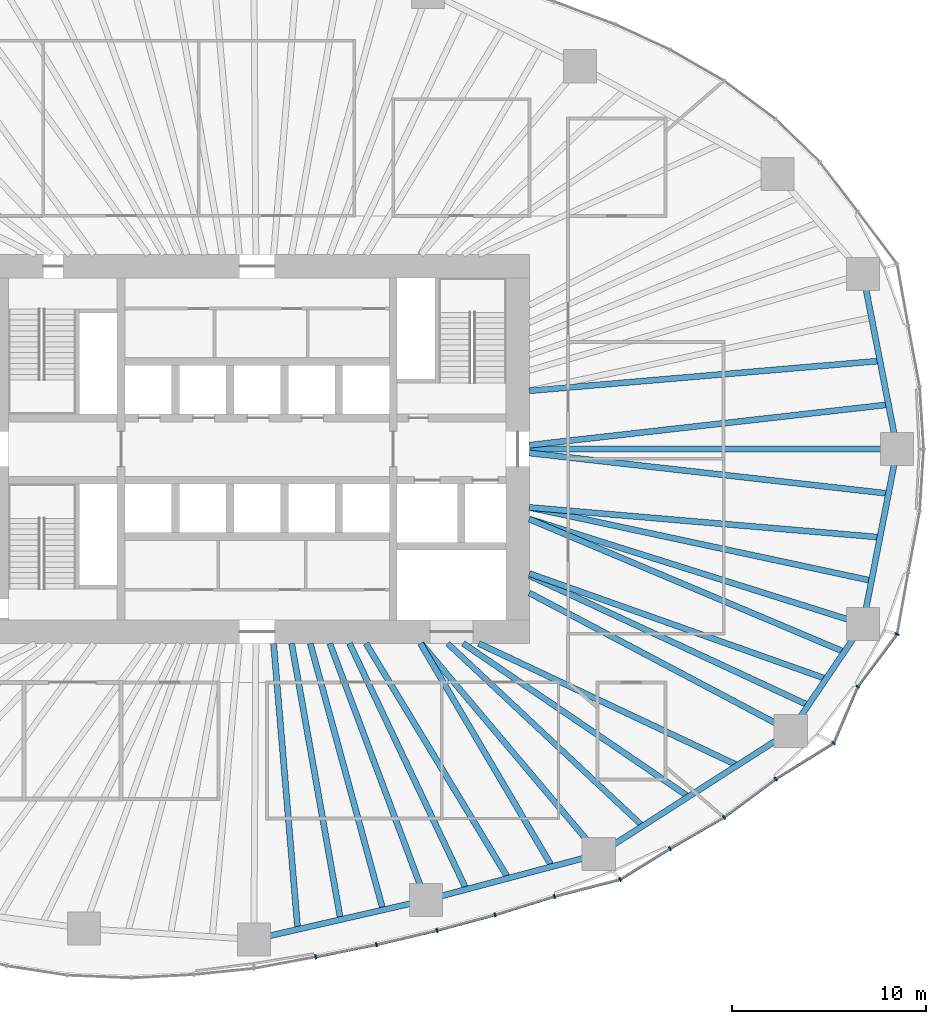
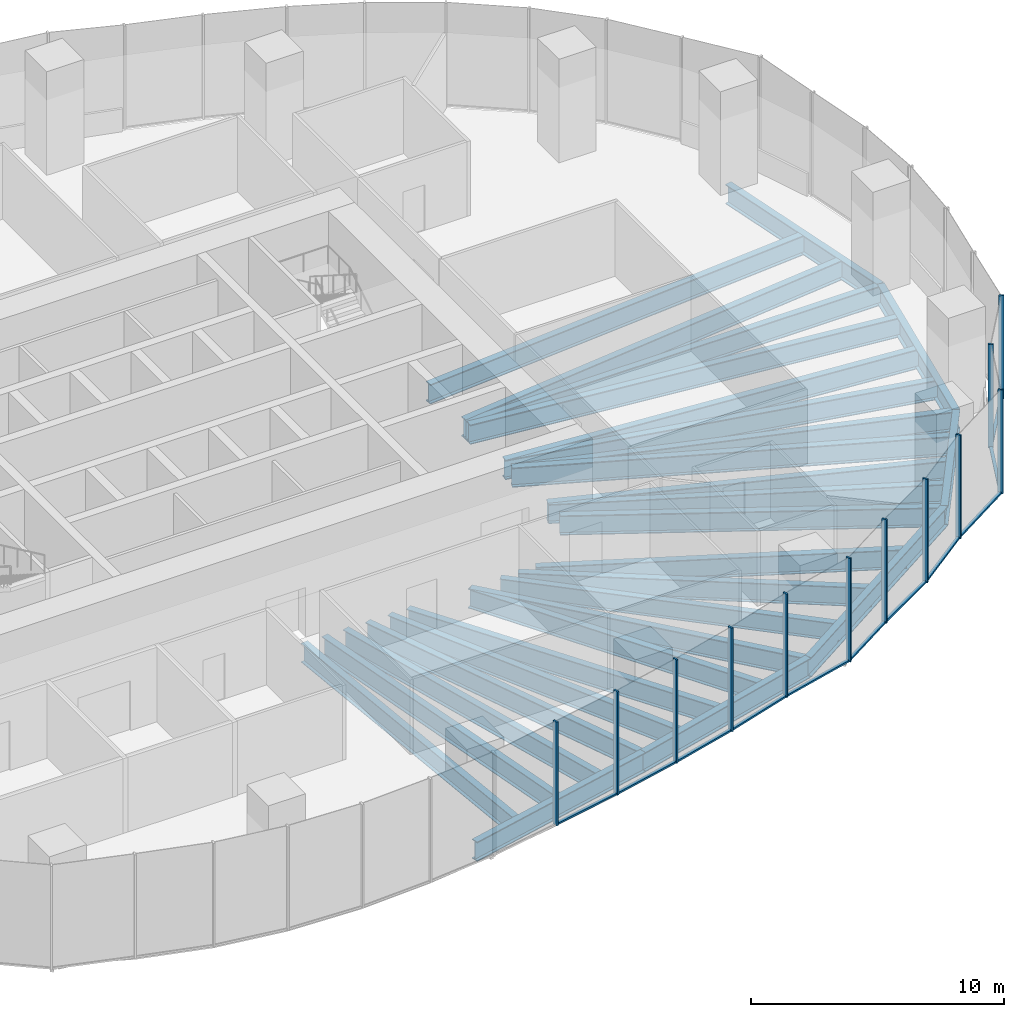
# One storey, part 4 of 20: 28 beams, 23 members, 5 elements without a shape of their own.
"""IFC4 building model written with IfcOpenShell, lengths in metres."""

from ifc_helpers import new_model, si_unit, direction, frame, origin, origin_2d, place, context, subcontext, project, spatial, rectangle, i_section, extrude, material, material_profile, profile_set, type_object, element, aggregate, save


model = new_model("IFC4")

# Units and contexts
model_context = context("Model", 3, precision=1e-05, world=origin(), true_north=direction((0.0, 1.0)))
body_context = subcontext(model_context, "Body", "Model", "MODEL_VIEW")
ifc_project = project(units=[si_unit("LENGTHUNIT", "METRE"), si_unit("AREAUNIT", "SQUARE_METRE"), si_unit("VOLUMEUNIT", "CUBIC_METRE"), si_unit("PLANEANGLEUNIT", "RADIAN"), si_unit("MASSUNIT", "GRAM", prefix="KILO")], contexts=[model_context])

# Site, building, storey
site_placement = place(None, origin())
site = spatial("IfcSite", under=ifc_project, at=site_placement, CompositionType="ELEMENT")
building_placement = place(site_placement, origin())
building = spatial("IfcBuilding", under=site, at=building_placement, Name="Ghaith Harvest Tower", CompositionType="ELEMENT")
storey_placement = place(building_placement, frame((0.0, 0.0, 60.0)))
storey = spatial("IfcBuildingStorey", under=building, at=storey_placement, Name="L12", CompositionType="ELEMENT", Elevation=60.0)

# Curtain wall, members
ifc_material_1 = material(Name="Black anodised aluminium and fritted glass", Category="aluminium")
curtain_wall_type = type_object("IfcCurtainWallType", Name="CW-F CURTAIN WALL", PredefinedType="NOTDEFINED", material=ifc_material_1)
curtain_wall_1_placement = place(storey_placement, origin())
curtain_wall_1 = element("IfcCurtainWall", 1, at=curtain_wall_1_placement, inside=storey, type_object=curtain_wall_type, Name="Curtain wall CW-F bay 16 L12", PredefinedType="NOTDEFINED")
ifc_material_2 = material(Name="Aluminium, black anodised", Category="aluminium")
ifc_material_profile_1 = material_profile(ifc_material_2, rectangle(XDim=0.080078125, YDim=0.219970703125, at=origin_2d()), Name="CW-F MULLION 80x220")
ifc_profile_set_1 = profile_set([ifc_material_profile_1], Name="Aluminium, black anodised")
member_type_1 = type_object("IfcMemberType", Name="CW-F MULLION 80x220", PredefinedType="MULLION", material=ifc_profile_set_1)
member_1_placement = place(storey_placement, frame((3.00927734375, -26.123291015625, 0.0), z_axis=(0.0, 0.0, 1.0), x_axis=(0.981818445714, 0.189822389762, 0.0)))
member_1 = element("IfcMember", 2, at=member_1_placement, type_object=member_type_1, Name="CW-F mullion 2 bay 16 L12", PredefinedType="MULLION", context=body_context, shape_type="SweptSolid", body=[
    extrude(rectangle(XDim=0.080078125, YDim=0.219970703125, at=origin_2d()), origin(), (0.0, 0.0, 1.0), 5.0),
])
member_2_placement = place(storey_placement, frame((6.136962890625, -25.495361328125, 0.0), z_axis=(0.0, 0.0, 1.0), x_axis=(0.977117973572, 0.212698062336, 0.0)))
member_2 = element("IfcMember", 3, at=member_2_placement, type_object=member_type_1, Name="CW-F mullion 3 bay 16 L12", PredefinedType="MULLION", context=body_context, shape_type="SweptSolid", body=[
    extrude(rectangle(XDim=0.080078125, YDim=0.219970703125, at=origin_2d()), origin(), (0.0, 0.0, 1.0), 5.0),
])

curtain_wall_2_placement = place(storey_placement, origin())
curtain_wall_2 = element("IfcCurtainWall", 4, at=curtain_wall_2_placement, inside=storey, type_object=curtain_wall_type, Name="Curtain wall CW-F bay 17 L12", PredefinedType="NOTDEFINED")
member_3_placement = place(storey_placement, frame((9.25732421875, -24.76318359375, 0.0), z_axis=(0.0, 0.0, 1.0), x_axis=(0.969903429248, 0.24348991341, 0.0)))
member_3 = element("IfcMember", 5, at=member_3_placement, type_object=member_type_1, Name="CW-F mullion 1 bay 17 L12", PredefinedType="MULLION", context=body_context, shape_type="SweptSolid", body=[
    extrude(rectangle(XDim=0.080078125, YDim=0.219970703125, at=origin_2d()), origin(), (0.0, 0.0, 1.0), 5.0),
])
member_4_placement = place(storey_placement, frame((12.234375, -23.964599609375, 0.0), z_axis=(0.0, 0.0, 1.0), x_axis=(0.960502189734, 0.278272426799, 0.0)))
member_4 = element("IfcMember", 6, at=member_4_placement, type_object=member_type_1, Name="CW-F mullion 2 bay 17 L12", PredefinedType="MULLION", context=body_context, shape_type="SweptSolid", body=[
    extrude(rectangle(XDim=0.080078125, YDim=0.219970703125, at=origin_2d()), origin(), (0.0, 0.0, 1.0), 5.0),
])
member_5_placement = place(storey_placement, frame((15.28759765625, -23.01611328125, 0.0), z_axis=(0.0, 0.0, 1.0), x_axis=(0.962313144018, 0.27194376781, 0.0)))
member_5 = element("IfcMember", 7, at=member_5_placement, type_object=member_type_1, Name="CW-F mullion 3 bay 17 L12", PredefinedType="MULLION", context=body_context, shape_type="SweptSolid", body=[
    extrude(rectangle(XDim=0.080078125, YDim=0.219970703125, at=origin_2d()), origin(), (0.0, 0.0, 1.0), 5.0),
])

curtain_wall_3_placement = place(storey_placement, origin())
curtain_wall_3 = element("IfcCurtainWall", 8, at=curtain_wall_3_placement, inside=storey, type_object=curtain_wall_type, Name="Curtain wall CW-F bay 18 L12", PredefinedType="NOTDEFINED")
member_6_placement = place(storey_placement, frame((18.674072265625, -22.144775390625, 0.0), z_axis=(0.0, 0.0, 1.0), x_axis=(0.923910199299, 0.382609387799, 0.0)))
member_6 = element("IfcMember", 9, at=member_6_placement, type_object=member_type_1, Name="CW-F mullion 1 bay 18 L12", PredefinedType="MULLION", context=body_context, shape_type="SweptSolid", body=[
    extrude(rectangle(XDim=0.080078125, YDim=0.219970703125, at=origin_2d()), origin(), (0.0, 0.0, 1.0), 5.0),
])
member_7_placement = place(storey_placement, frame((21.2353515625, -20.552978515625, 0.0), z_axis=(0.0, 0.0, 1.0), x_axis=(0.858140414942, 0.513415064293, 0.0)))
member_7 = element("IfcMember", 10, at=member_7_placement, type_object=member_type_1, Name="CW-F mullion 2 bay 18 L12", PredefinedType="MULLION", context=body_context, shape_type="SweptSolid", body=[
    extrude(rectangle(XDim=0.080078125, YDim=0.219970703125, at=origin_2d()), origin(), (0.0, 0.0, 1.0), 5.0),
])
member_8_placement = place(storey_placement, frame((24.018310546875, -18.947265625, 0.0), z_axis=(0.0, 0.0, 1.0), x_axis=(0.835443516838, 0.549576318788, 0.0)))
member_8 = element("IfcMember", 11, at=member_8_placement, type_object=member_type_1, Name="CW-F mullion 3 bay 18 L12", PredefinedType="MULLION", context=body_context, shape_type="SweptSolid", body=[
    extrude(rectangle(XDim=0.080078125, YDim=0.219970703125, at=origin_2d()), origin(), (0.0, 0.0, 1.0), 5.0),
])

curtain_wall_4_placement = place(storey_placement, origin())
curtain_wall_4 = element("IfcCurtainWall", 12, at=curtain_wall_4_placement, inside=storey, type_object=curtain_wall_type, Name="Curtain wall CW-F bay 19 L12", PredefinedType="NOTDEFINED")
member_9_placement = place(storey_placement, frame((26.673828125, -16.9755859375, 0.0), z_axis=(0.0, 0.0, 1.0), x_axis=(0.828002038115, 0.560725088504, 0.0)))
member_9 = element("IfcMember", 13, at=member_9_placement, type_object=member_type_1, Name="CW-F mullion 1 bay 19 L12", PredefinedType="MULLION", context=body_context, shape_type="SweptSolid", body=[
    extrude(rectangle(XDim=0.080078125, YDim=0.219970703125, at=origin_2d()), origin(), (0.0, 0.0, 1.0), 5.0),
])
member_10_placement = place(storey_placement, frame((29.659912109375, -15.126953125, 0.0), z_axis=(0.0, 0.0, 1.0), x_axis=(0.663604797505, 0.748083332743, 0.0)))
member_10 = element("IfcMember", 14, at=member_10_placement, type_object=member_type_1, Name="CW-F mullion 2 bay 19 L12", PredefinedType="MULLION", context=body_context, shape_type="SweptSolid", body=[
    extrude(rectangle(XDim=0.080078125, YDim=0.219970703125, at=origin_2d()), origin(), (0.0, 0.0, 1.0), 5.0),
])
member_11_placement = place(storey_placement, frame((30.896728515625, -12.215087890625, 0.0), z_axis=(0.0, 0.0, 1.0), x_axis=(0.5027946428, 0.864405892606, 0.0)))
member_11 = element("IfcMember", 15, at=member_11_placement, type_object=member_type_1, Name="CW-F mullion 3 bay 19 L12", PredefinedType="MULLION", context=body_context, shape_type="SweptSolid", body=[
    extrude(rectangle(XDim=0.080078125, YDim=0.219970703125, at=origin_2d()), origin(), (0.0, 0.0, 1.0), 5.0),
])

# Curtain wall, member
curtain_wall_5_placement = place(storey_placement, origin())
curtain_wall_5 = element("IfcCurtainWall", 16, at=curtain_wall_5_placement, inside=storey, type_object=curtain_wall_type, Name="Curtain wall CW-F bay 20 L12", PredefinedType="NOTDEFINED")
member_12_placement = place(storey_placement, frame((32.923583984375, -9.515625, 0.0), z_axis=(0.0, 0.0, 1.0), x_axis=(0.404701694001, 0.914448762301, 0.0)))
member_12 = element("IfcMember", 17, at=member_12_placement, type_object=member_type_1, Name="CW-F mullion 1 bay 20 L12", PredefinedType="MULLION", context=body_context, shape_type="SweptSolid", body=[
    extrude(rectangle(XDim=0.080078125, YDim=0.219970703125, at=origin_2d()), origin(), (0.0, 0.0, 1.0), 5.0),
])
aggregate(curtain_wall_5, [member_12])

# Member
ifc_material_3 = material(Name="Aluminium, black anodised", Category="aluminium")
ifc_material_profile_2 = material_profile(ifc_material_3, rectangle(XDim=0.139892578125, YDim=0.080078125, at=origin_2d()), Name="CW-F TRANSOM 140x80")
ifc_profile_set_2 = profile_set([ifc_material_profile_2], Name="Aluminium, black anodised")
member_type_2 = type_object("IfcMemberType", Name="CW-F TRANSOM 140x80", PredefinedType="USERDEFINED", material=ifc_profile_set_2)
member_13_placement = place(storey_placement, frame((3.04833984375, -26.115478515625, 0.0400390625), z_axis=(0.980432471193, 0.196855707129, 0.0), x_axis=(-0.196855707129, 0.980432471193, 0.0)))
member_13 = element("IfcMember", 18, at=member_13_placement, type_object=member_type_2, Name="CW-F transom 2 bay 16 L12", ObjectType="TRANSOM", PredefinedType="USERDEFINED", context=body_context, shape_type="SweptSolid", body=[
    extrude(rectangle(XDim=0.139892578125, YDim=0.080078125, at=origin_2d()), origin(), (0.0, 0.0, 1.0), 3.1103515625),
])

member_14_placement = place(storey_placement, frame((6.176025390625, -25.486083984375, 0.0400390625), z_axis=(0.973560415159, 0.228429678537, 0.0), x_axis=(-0.228429678537, 0.973560415159, 0.0)))
member_14 = element("IfcMember", 19, at=member_14_placement, type_object=member_type_2, Name="CW-F transom 3 bay 16 L12", ObjectType="TRANSOM", PredefinedType="USERDEFINED", context=body_context, shape_type="SweptSolid", body=[
    extrude(rectangle(XDim=0.139892578125, YDim=0.080078125, at=origin_2d()), origin(), (0.0, 0.0, 1.0), 3.125),
])

aggregate(curtain_wall_1, [member_1, member_13, member_2, member_14])

member_15_placement = place(storey_placement, frame((9.2958984375, -24.7529296875, 0.0400390625), z_axis=(0.965832908495, 0.259165570377, 0.0), x_axis=(-0.259165570377, 0.965832908495, 0.0)))
member_15 = element("IfcMember", 20, at=member_15_placement, type_object=member_type_2, Name="CW-F transom 1 bay 17 L12", ObjectType="TRANSOM", PredefinedType="USERDEFINED", context=body_context, shape_type="SweptSolid", body=[
    extrude(rectangle(XDim=0.139892578125, YDim=0.080078125, at=origin_2d()), origin(), (0.0, 0.0, 1.0), 3.002197265625),
])

member_16_placement = place(storey_placement, frame((12.2724609375, -23.95263671875, 0.0400390625), z_axis=(0.954998362353, 0.296611071781, 0.0), x_axis=(-0.296611071781, 0.954998362353, 0.0)))
member_16 = element("IfcMember", 21, at=member_16_placement, type_object=member_type_2, Name="CW-F transom 2 bay 17 L12", ObjectType="TRANSOM", PredefinedType="USERDEFINED", context=body_context, shape_type="SweptSolid", body=[
    extrude(rectangle(XDim=0.139892578125, YDim=0.080078125, at=origin_2d()), origin(), (0.0, 0.0, 1.0), 3.1171875),
])

member_17_placement = place(storey_placement, frame((15.326171875, -23.006103515625, 0.0400390625), z_axis=(0.968463874592, 0.249154015841, 0.0), x_axis=(-0.249154015841, 0.968463874592, 0.0)))
member_17 = element("IfcMember", 22, at=member_17_placement, type_object=member_type_2, Name="CW-F transom 3 bay 17 L12", ObjectType="TRANSOM", PredefinedType="USERDEFINED", context=body_context, shape_type="SweptSolid", body=[
    extrude(rectangle(XDim=0.139892578125, YDim=0.080078125, at=origin_2d()), origin(), (0.0, 0.0, 1.0), 3.416748046875),
])

aggregate(curtain_wall_2, [member_3, member_15, member_4, member_16, member_5, member_17])

member_18_placement = place(storey_placement, frame((18.7080078125, -22.12353515625, 0.0400390625), z_axis=(0.849383069026, 0.527776848726, 0.0), x_axis=(-0.527776848726, 0.849383069026, 0.0)))
member_18 = element("IfcMember", 23, at=member_18_placement, type_object=member_type_2, Name="CW-F transom 1 bay 18 L12", ObjectType="TRANSOM", PredefinedType="USERDEFINED", context=body_context, shape_type="SweptSolid", body=[
    extrude(rectangle(XDim=0.139892578125, YDim=0.080078125, at=origin_2d()), origin(), (0.0, 0.0, 1.0), 2.935546875),
])

member_19_placement = place(storey_placement, frame((21.27001953125, -20.532958984375, 0.0400390625), z_axis=(0.866168719914, 0.499751686983, 0.0), x_axis=(-0.499751686983, 0.866168719914, 0.0)))
member_19 = element("IfcMember", 24, at=member_19_placement, type_object=member_type_2, Name="CW-F transom 2 bay 18 L12", ObjectType="TRANSOM", PredefinedType="USERDEFINED", context=body_context, shape_type="SweptSolid", body=[
    extrude(rectangle(XDim=0.139892578125, YDim=0.080078125, at=origin_2d()), origin(), (0.0, 0.0, 1.0), 3.1328125),
])

member_20_placement = place(storey_placement, frame((24.050537109375, -18.92333984375, 0.0400390625), z_axis=(0.802877287823, 0.596144328748, 0.0), x_axis=(-0.596144328748, 0.802877287823, 0.0)))
member_20 = element("IfcMember", 25, at=member_20_placement, type_object=member_type_2, Name="CW-F transom 3 bay 18 L12", ObjectType="TRANSOM", PredefinedType="USERDEFINED", context=body_context, shape_type="SweptSolid", body=[
    extrude(rectangle(XDim=0.139892578125, YDim=0.080078125, at=origin_2d()), origin(), (0.0, 0.0, 1.0), 3.2275390625),
])

aggregate(curtain_wall_3, [member_6, member_18, member_7, member_19, member_8, member_20])

member_21_placement = place(storey_placement, frame((26.707763671875, -16.954345703125, 0.0400390625), z_axis=(0.850260598386, 0.526361961802, 0.0), x_axis=(-0.526361961802, 0.850260598386, 0.0)))
member_21 = element("IfcMember", 26, at=member_21_placement, type_object=member_type_2, Name="CW-F transom 1 bay 19 L12", ObjectType="TRANSOM", PredefinedType="USERDEFINED", context=body_context, shape_type="SweptSolid", body=[
    extrude(rectangle(XDim=0.139892578125, YDim=0.080078125, at=origin_2d()), origin(), (0.0, 0.0, 1.0), 3.431884765625),
])

member_22_placement = place(storey_placement, frame((29.675537109375, -15.090087890625, 0.0400390625), z_axis=(0.390936107494, 0.92041781809, 0.0), x_axis=(-0.92041781809, 0.390936107494, 0.0)))
member_22 = element("IfcMember", 27, at=member_22_placement, type_object=member_type_2, Name="CW-F transom 2 bay 19 L12", ObjectType="TRANSOM", PredefinedType="USERDEFINED", context=body_context, shape_type="SweptSolid", body=[
    extrude(rectangle(XDim=0.139892578125, YDim=0.080078125, at=origin_2d()), origin(), (0.0, 0.0, 1.0), 3.083740234375),
])

member_23_placement = place(storey_placement, frame((30.920654296875, -12.18310546875, 0.0400390625), z_axis=(0.600462135687, 0.799653189581, 0.0), x_axis=(-0.799653189581, 0.600462135687, 0.0)))
member_23 = element("IfcMember", 28, at=member_23_placement, type_object=member_type_2, Name="CW-F transom 3 bay 19 L12", ObjectType="TRANSOM", PredefinedType="USERDEFINED", context=body_context, shape_type="SweptSolid", body=[
    extrude(rectangle(XDim=0.139892578125, YDim=0.080078125, at=origin_2d()), origin(), (0.0, 0.0, 1.0), 3.2958984375),
])

aggregate(curtain_wall_4, [member_9, member_21, member_10, member_22, member_11, member_23])

# Beams
ifc_material_4 = material(Name="Steel ASTM A992 Grade 50", Category="steel")
ifc_material_profile_3 = material_profile(ifc_material_4, i_section(OverallWidth=0.306884765625, OverallDepth=0.94189453125, WebThickness=0.022216796875, FlangeThickness=0.039794921875, at=origin_2d()), Name="W920X345")
ifc_profile_set_3 = profile_set([ifc_material_profile_3], Name="Steel ASTM A992 Grade 50")
beam_type_1 = type_object("IfcBeamType", Name="E920-345 W920X345", PredefinedType="SPANDREL", material=ifc_profile_set_3)
beam_1_placement = place(storey_placement, frame((32.925048828125, 0.0, -0.6708984375), z_axis=(-0.191653479461, 0.981462655332, 0.0), x_axis=(-0.981462655332, -0.191653479461, 0.0)))
element("IfcBeam", 29, at=beam_1_placement, inside=storey, type_object=beam_type_1, Name="Edge beam E01 L12", PredefinedType="SPANDREL", context=body_context, shape_type="SweptSolid", body=[
    extrude(i_section(OverallWidth=0.306884765625, OverallDepth=0.94189453125, WebThickness=0.022216796875, FlangeThickness=0.039794921875, at=origin_2d()), origin(), (0.0, 0.0, 1.0), 9.17822265625),
])
beam_2_placement = place(storey_placement, frame((-0.173095703125, -25.22412109375, -0.6708984375), z_axis=(0.974881709383, 0.22272326486, 0.0), x_axis=(-0.22272326486, 0.974881709383, 0.0)))
element("IfcBeam", 30, at=beam_2_placement, inside=storey, type_object=beam_type_1, Name="Edge beam E16 L12", PredefinedType="SPANDREL", context=body_context, shape_type="SweptSolid", body=[
    extrude(i_section(OverallWidth=0.306884765625, OverallDepth=0.94189453125, WebThickness=0.022216796875, FlangeThickness=0.039794921875, at=origin_2d()), origin(), (0.0, 0.0, 1.0), 9.0751953125),
])
beam_3_placement = place(storey_placement, frame((8.674072265625, -23.202880859375, -0.6708984375), z_axis=(0.966419097109, 0.256971065963, 0.0), x_axis=(-0.256971065963, 0.966419097109, 0.0)))
element("IfcBeam", 31, at=beam_3_placement, inside=storey, type_object=beam_type_1, Name="Edge beam E17 L12", PredefinedType="SPANDREL", context=body_context, shape_type="SweptSolid", body=[
    extrude(i_section(OverallWidth=0.306884765625, OverallDepth=0.94189453125, WebThickness=0.022216796875, FlangeThickness=0.039794921875, at=origin_2d()), origin(), (0.0, 0.0, 1.0), 9.20703125),
])
beam_4_placement = place(storey_placement, frame((17.572021484375, -20.8369140625, -0.6708984375), z_axis=(0.842014649705, 0.539454659524, 0.0), x_axis=(-0.539454659524, 0.842014649705, 0.0)))
element("IfcBeam", 32, at=beam_4_placement, inside=storey, type_object=beam_type_1, Name="Edge beam E18 L12", PredefinedType="SPANDREL", context=body_context, shape_type="SweptSolid", body=[
    extrude(i_section(OverallWidth=0.306884765625, OverallDepth=0.94189453125, WebThickness=0.022216796875, FlangeThickness=0.039794921875, at=origin_2d()), origin(), (0.0, 0.0, 1.0), 11.730224609375),
])
beam_5_placement = place(storey_placement, frame((27.448974609375, -14.509033203125, -0.6708984375), z_axis=(0.559874470017, 0.828577442261, 0.0), x_axis=(-0.828577442261, 0.559874470017, 0.0)))
element("IfcBeam", 33, at=beam_5_placement, inside=storey, type_object=beam_type_1, Name="Edge beam E19 L12", PredefinedType="SPANDREL", context=body_context, shape_type="SweptSolid", body=[
    extrude(i_section(OverallWidth=0.306884765625, OverallDepth=0.94189453125, WebThickness=0.022216796875, FlangeThickness=0.039794921875, at=origin_2d()), origin(), (0.0, 0.0, 1.0), 6.63916015625),
])
beam_6_placement = place(storey_placement, frame((31.166015625, -9.008056640625, -0.6708984375), z_axis=(0.191653479461, 0.981462655332, 0.0), x_axis=(-0.981462655332, 0.191653479461, 0.0)))
element("IfcBeam", 34, at=beam_6_placement, inside=storey, type_object=beam_type_1, Name="Edge beam E20 L12", PredefinedType="SPANDREL", context=body_context, shape_type="SweptSolid", body=[
    extrude(i_section(OverallWidth=0.306884765625, OverallDepth=0.94189453125, WebThickness=0.022216796875, FlangeThickness=0.039794921875, at=origin_2d()), origin(), (0.0, 0.0, 1.0), 9.17822265625),
])
ifc_material_5 = material(Name="Steel ASTM A992 Grade 50", Category="steel")
ifc_material_profile_4 = material_profile(ifc_material_5, i_section(OverallWidth=0.306884765625, OverallDepth=0.94189453125, WebThickness=0.022216796875, FlangeThickness=0.039794921875, at=origin_2d()), Name="W920X345")
ifc_profile_set_4 = profile_set([ifc_material_profile_4], Name="Steel ASTM A992 Grade 50")
beam_type_2 = type_object("IfcBeamType", Name="G920-345 W920X345", PredefinedType="BEAM", material=ifc_profile_set_4)
beam_7_placement = place(storey_placement, frame((14.0, 0.0, -0.6708984375), z_axis=(1.0, 0.0, 0.0), x_axis=(0.0, 1.0, 0.0)))
element("IfcBeam", 35, at=beam_7_placement, inside=storey, type_object=beam_type_2, Name="Radial girder G01 L12", PredefinedType="BEAM", context=body_context, shape_type="SweptSolid", body=[
    extrude(i_section(OverallWidth=0.306884765625, OverallDepth=0.94189453125, WebThickness=0.022216796875, FlangeThickness=0.039794921875, at=origin_2d()), origin(), (0.0, 0.0, 1.0), 18.925048828125),
])
beam_8_placement = place(storey_placement, frame((3.73828125, -10.0, -0.6708984375), z_axis=(0.350172283717, -0.936685310932, 0.0), x_axis=(0.936685310932, 0.350172283717, 0.0)))
element("IfcBeam", 36, at=beam_8_placement, inside=storey, type_object=beam_type_2, Name="Radial girder G17 L12", PredefinedType="BEAM", context=body_context, shape_type="SweptSolid", body=[
    extrude(i_section(OverallWidth=0.306884765625, OverallDepth=0.94189453125, WebThickness=0.022216796875, FlangeThickness=0.039794921875, at=origin_2d()), origin(), (0.0, 0.0, 1.0), 14.09521484375),
])
beam_9_placement = place(storey_placement, frame((8.4326171875, -10.0, -0.6708984375), z_axis=(0.644696130938, -0.764438943771, 0.0), x_axis=(0.764438943771, 0.644696130938, 0.0)))
element("IfcBeam", 37, at=beam_9_placement, inside=storey, type_object=beam_type_2, Name="Radial girder G18 L12", PredefinedType="BEAM", context=body_context, shape_type="SweptSolid", body=[
    extrude(i_section(OverallWidth=0.306884765625, OverallDepth=0.94189453125, WebThickness=0.022216796875, FlangeThickness=0.039794921875, at=origin_2d()), origin(), (0.0, 0.0, 1.0), 14.17626953125),
])
beam_10_placement = place(storey_placement, frame((14.0, -7.39990234375, -0.6708984375), z_axis=(0.884084425997, -0.467327216959, 0.0), x_axis=(0.467327216959, 0.884084425997, 0.0)))
element("IfcBeam", 38, at=beam_10_placement, inside=storey, type_object=beam_type_2, Name="Radial girder G19 L12", PredefinedType="BEAM", context=body_context, shape_type="SweptSolid", body=[
    extrude(i_section(OverallWidth=0.306884765625, OverallDepth=0.94189453125, WebThickness=0.022216796875, FlangeThickness=0.039794921875, at=origin_2d()), origin(), (0.0, 0.0, 1.0), 15.21240234375),
])
beam_11_placement = place(storey_placement, frame((14.0, -3.60009765625, -0.6708984375), z_axis=(0.953788071692, -0.300480139607, 0.0), x_axis=(0.300480139607, 0.953788071692, 0.0)))
element("IfcBeam", 39, at=beam_11_placement, inside=storey, type_object=beam_type_2, Name="Radial girder G20 L12", PredefinedType="BEAM", context=body_context, shape_type="SweptSolid", body=[
    extrude(i_section(OverallWidth=0.306884765625, OverallDepth=0.94189453125, WebThickness=0.022216796875, FlangeThickness=0.039794921875, at=origin_2d()), origin(), (0.0, 0.0, 1.0), 17.997802734375),
])
ifc_material_6 = material(Name="Steel ASTM A992 Grade 50", Category="steel")
ifc_material_profile_5 = material_profile(ifc_material_6, i_section(OverallWidth=0.2939453125, OverallDepth=0.85107421875, WebThickness=0.01611328125, FlangeThickness=0.02685546875, at=origin_2d()), Name="W840X226")
ifc_profile_set_5 = profile_set([ifc_material_profile_5], Name="Steel ASTM A992 Grade 50")
beam_type_3 = type_object("IfcBeamType", Name="J840-226 W840X226", PredefinedType="JOIST", material=ifc_profile_set_5)
beam_12_placement = place(storey_placement, frame((9.800048828125, -10.0, -0.62548828125), z_axis=(0.72994990542, -0.683500647825, 0.0), x_axis=(0.683500647825, 0.72994990542, 0.0)))
element("IfcBeam", 40, at=beam_12_placement, inside=storey, type_object=beam_type_3, Name="Joist J18.1 L12", PredefinedType="JOIST", context=body_context, shape_type="SweptSolid", body=[
    extrude(i_section(OverallWidth=0.2939453125, OverallDepth=0.85107421875, WebThickness=0.01611328125, FlangeThickness=0.02685546875, at=origin_2d()), origin(), (0.0, 0.0, 1.0), 13.7392578125),
])
ifc_material_7 = material(Name="Steel ASTM A992 Grade 50", Category="steel")
ifc_material_profile_6 = material_profile(ifc_material_7, i_section(OverallWidth=0.31005859375, OverallDepth=0.927001953125, WebThickness=0.019287109375, FlangeThickness=0.031982421875, at=origin_2d()), Name="W920X289")
ifc_profile_set_6 = profile_set([ifc_material_profile_6], Name="Steel ASTM A992 Grade 50")
beam_type_4 = type_object("IfcBeamType", Name="J920-289 W920X289", PredefinedType="JOIST", material=ifc_profile_set_6)
beam_13_placement = place(storey_placement, frame((0.844970703125, -10.0, -0.66357421875), z_axis=(0.084208979751, -0.996448115924, 0.0), x_axis=(0.996448115924, 0.084208979751, 0.0)))
element("IfcBeam", 41, at=beam_13_placement, inside=storey, type_object=beam_type_4, Name="Joist J16.1 L12", PredefinedType="JOIST", context=body_context, shape_type="SweptSolid", body=[
    extrude(i_section(OverallWidth=0.31005859375, OverallDepth=0.927001953125, WebThickness=0.019287109375, FlangeThickness=0.031982421875, at=origin_2d()), origin(), (0.0, 0.0, 1.0), 14.760009765625),
])
beam_14_placement = place(storey_placement, frame((1.772705078125, -10.0, -0.66357421875), z_axis=(0.174552818486, -0.98464781194, 0.0), x_axis=(0.98464781194, 0.174552818486, 0.0)))
element("IfcBeam", 42, at=beam_14_placement, inside=storey, type_object=beam_type_4, Name="Joist J16.2 L12", PredefinedType="JOIST", context=body_context, shape_type="SweptSolid", body=[
    extrude(i_section(OverallWidth=0.31005859375, OverallDepth=0.927001953125, WebThickness=0.019287109375, FlangeThickness=0.031982421875, at=origin_2d()), origin(), (0.0, 0.0, 1.0), 14.42578125),
])
beam_15_placement = place(storey_placement, frame((2.73095703125, -10.0, -0.66357421875), z_axis=(0.263463446032, -0.964669379946, 0.0), x_axis=(0.964669379946, 0.263463446032, 0.0)))
element("IfcBeam", 43, at=beam_15_placement, inside=storey, type_object=beam_type_4, Name="Joist J16.3 L12", PredefinedType="JOIST", context=body_context, shape_type="SweptSolid", body=[
    extrude(i_section(OverallWidth=0.31005859375, OverallDepth=0.927001953125, WebThickness=0.019287109375, FlangeThickness=0.031982421875, at=origin_2d()), origin(), (0.0, 0.0, 1.0), 14.20751953125),
])
beam_16_placement = place(storey_placement, frame((4.75, -10.0, -0.66357421875), z_axis=(0.429067127754, -0.903272605519, 0.0), x_axis=(0.903272605519, 0.429067127754, 0.0)))
element("IfcBeam", 44, at=beam_16_placement, inside=storey, type_object=beam_type_4, Name="Joist J17.1 L12", PredefinedType="JOIST", context=body_context, shape_type="SweptSolid", body=[
    extrude(i_section(OverallWidth=0.31005859375, OverallDepth=0.927001953125, WebThickness=0.019287109375, FlangeThickness=0.031982421875, at=origin_2d()), origin(), (0.0, 0.0, 1.0), 14.003173828125),
])
beam_17_placement = place(storey_placement, frame((5.60009765625, -10.0, -0.66357421875), z_axis=(0.517828660199, -0.855484353262, 0.0), x_axis=(0.855484353262, 0.517828660199, 0.0)))
element("IfcBeam", 45, at=beam_17_placement, inside=storey, type_object=beam_type_4, Name="Joist J17.2 L12", PredefinedType="JOIST", context=body_context, shape_type="SweptSolid", body=[
    extrude(i_section(OverallWidth=0.31005859375, OverallDepth=0.927001953125, WebThickness=0.019287109375, FlangeThickness=0.031982421875, at=origin_2d()), origin(), (0.0, 0.0, 1.0), 14.11669921875),
])
beam_18_placement = place(storey_placement, frame((8.39990234375, -10.0, -0.66357421875), z_axis=(0.507894375661, -0.861419353841, 0.0), x_axis=(0.861419353841, 0.507894375661, 0.0)))
element("IfcBeam", 46, at=beam_18_placement, inside=storey, type_object=beam_type_4, Name="Joist J17.3 L12", PredefinedType="JOIST", context=body_context, shape_type="SweptSolid", body=[
    extrude(i_section(OverallWidth=0.31005859375, OverallDepth=0.927001953125, WebThickness=0.019287109375, FlangeThickness=0.031982421875, at=origin_2d()), origin(), (0.0, 0.0, 1.0), 13.32275390625),
])
beam_19_placement = place(storey_placement, frame((10.60009765625, -10.0, -0.66357421875), z_axis=(0.826982555637, -0.562227580853, 0.0), x_axis=(0.562227580853, 0.826982555637, 0.0)))
element("IfcBeam", 47, at=beam_19_placement, inside=storey, type_object=beam_type_4, Name="Joist J18.2 L12", PredefinedType="JOIST", context=body_context, shape_type="SweptSolid", body=[
    extrude(i_section(OverallWidth=0.31005859375, OverallDepth=0.927001953125, WebThickness=0.019287109375, FlangeThickness=0.031982421875, at=origin_2d()), origin(), (0.0, 0.0, 1.0), 14.013671875),
])
beam_20_placement = place(storey_placement, frame((11.39990234375, -10.0, -0.66357421875), z_axis=(0.904709580205, -0.426028843489, 0.0), x_axis=(0.426028843489, 0.904709580205, 0.0)))
element("IfcBeam", 48, at=beam_20_placement, inside=storey, type_object=beam_type_4, Name="Joist J18.3 L12", PredefinedType="JOIST", context=body_context, shape_type="SweptSolid", body=[
    extrude(i_section(OverallWidth=0.31005859375, OverallDepth=0.927001953125, WebThickness=0.019287109375, FlangeThickness=0.031982421875, at=origin_2d()), origin(), (0.0, 0.0, 1.0), 14.708251953125),
])
beam_21_placement = place(storey_placement, frame((14.0, -6.506103515625, -0.66357421875), z_axis=(0.906865804441, -0.421419521067, 0.0), x_axis=(0.421419521067, 0.906865804441, 0.0)))
element("IfcBeam", 49, at=beam_21_placement, inside=storey, type_object=beam_type_4, Name="Joist J19.1 L12", PredefinedType="JOIST", context=body_context, shape_type="SweptSolid", body=[
    extrude(i_section(OverallWidth=0.31005859375, OverallDepth=0.927001953125, WebThickness=0.019287109375, FlangeThickness=0.031982421875, at=origin_2d()), origin(), (0.0, 0.0, 1.0), 15.824462890625),
])
ifc_material_8 = material(Name="Steel ASTM A992 Grade 50", Category="steel")
ifc_material_profile_7 = material_profile(ifc_material_8, i_section(OverallWidth=0.306884765625, OverallDepth=0.94189453125, WebThickness=0.022216796875, FlangeThickness=0.039794921875, at=origin_2d()), Name="W920X345")
ifc_profile_set_7 = profile_set([ifc_material_profile_7], Name="Steel ASTM A992 Grade 50")
beam_type_5 = type_object("IfcBeamType", Name="J920-345 W920X345", PredefinedType="JOIST", material=ifc_profile_set_7)
beam_22_placement = place(storey_placement, frame((14.0, 0.199951171875, -0.6708984375), z_axis=(0.993675458798, 0.112290171352, 0.0), x_axis=(-0.112290171352, 0.993675458798, 0.0)))
element("IfcBeam", 50, at=beam_22_placement, inside=storey, type_object=beam_type_5, Name="Joist J01.1 L12", PredefinedType="JOIST", context=body_context, shape_type="SweptSolid", body=[
    extrude(i_section(OverallWidth=0.306884765625, OverallDepth=0.94189453125, WebThickness=0.022216796875, FlangeThickness=0.039794921875, at=origin_2d()), origin(), (0.0, 0.0, 1.0), 18.595947265625),
])
beam_23_placement = place(storey_placement, frame((14.0, 3.0, -0.6708984375), z_axis=(0.996389274474, 0.084902377546, 0.0), x_axis=(-0.084902377546, 0.996389274474, 0.0)))
element("IfcBeam", 51, at=beam_23_placement, inside=storey, type_object=beam_type_5, Name="Joist J01.2 L12", PredefinedType="JOIST", context=body_context, shape_type="SweptSolid", body=[
    extrude(i_section(OverallWidth=0.306884765625, OverallDepth=0.94189453125, WebThickness=0.022216796875, FlangeThickness=0.039794921875, at=origin_2d()), origin(), (0.0, 0.0, 1.0), 18.1044921875),
])
beam_24_placement = place(storey_placement, frame((14.0, -6.39990234375, -0.6708984375), z_axis=(0.942399857711, -0.334488427581, 0.0), x_axis=(0.334488427581, 0.942399857711, 0.0)))
element("IfcBeam", 52, at=beam_24_placement, inside=storey, type_object=beam_type_5, Name="Joist J19.2 L12", PredefinedType="JOIST", context=body_context, shape_type="SweptSolid", body=[
    extrude(i_section(OverallWidth=0.306884765625, OverallDepth=0.94189453125, WebThickness=0.022216796875, FlangeThickness=0.039794921875, at=origin_2d()), origin(), (0.0, 0.0, 1.0), 16.199951171875),
])
beam_25_placement = place(storey_placement, frame((14.0, -3.60009765625, -0.6708984375), z_axis=(0.921432978784, -0.388537341333, 0.0), x_axis=(0.388537341333, 0.921432978784, 0.0)))
element("IfcBeam", 53, at=beam_25_placement, inside=storey, type_object=beam_type_5, Name="Joist J19.3 L12", PredefinedType="JOIST", context=body_context, shape_type="SweptSolid", body=[
    extrude(i_section(OverallWidth=0.306884765625, OverallDepth=0.94189453125, WebThickness=0.022216796875, FlangeThickness=0.039794921875, at=origin_2d()), origin(), (0.0, 0.0, 1.0), 17.585205078125),
])
beam_26_placement = place(storey_placement, frame((14.0, -3.0, -0.6708984375), z_axis=(0.977831380626, -0.209393865869, 0.0), x_axis=(0.209393865869, 0.977831380626, 0.0)))
element("IfcBeam", 54, at=beam_26_placement, inside=storey, type_object=beam_type_5, Name="Joist J20.1 L12", PredefinedType="JOIST", context=body_context, shape_type="SweptSolid", body=[
    extrude(i_section(OverallWidth=0.306884765625, OverallDepth=0.94189453125, WebThickness=0.022216796875, FlangeThickness=0.039794921875, at=origin_2d()), origin(), (0.0, 0.0, 1.0), 18.002197265625),
])
beam_27_placement = place(storey_placement, frame((14.0, -3.0, -0.6708984375), z_axis=(0.996389274474, -0.084902377546, 0.0), x_axis=(0.084902377546, 0.996389274474, 0.0)))
element("IfcBeam", 55, at=beam_27_placement, inside=storey, type_object=beam_type_5, Name="Joist J20.2 L12", PredefinedType="JOIST", context=body_context, shape_type="SweptSolid", body=[
    extrude(i_section(OverallWidth=0.306884765625, OverallDepth=0.94189453125, WebThickness=0.022216796875, FlangeThickness=0.039794921875, at=origin_2d()), origin(), (0.0, 0.0, 1.0), 18.1044921875),
])
beam_28_placement = place(storey_placement, frame((14.0, -0.199951171875, -0.6708984375), z_axis=(0.993675458798, -0.112290171352, 0.0), x_axis=(0.112290171352, 0.993675458798, 0.0)))
element("IfcBeam", 56, at=beam_28_placement, inside=storey, type_object=beam_type_5, Name="Joist J20.3 L12", PredefinedType="JOIST", context=body_context, shape_type="SweptSolid", body=[
    extrude(i_section(OverallWidth=0.306884765625, OverallDepth=0.94189453125, WebThickness=0.022216796875, FlangeThickness=0.039794921875, at=origin_2d()), origin(), (0.0, 0.0, 1.0), 18.595947265625),
])

save(model, "model.ifc")
